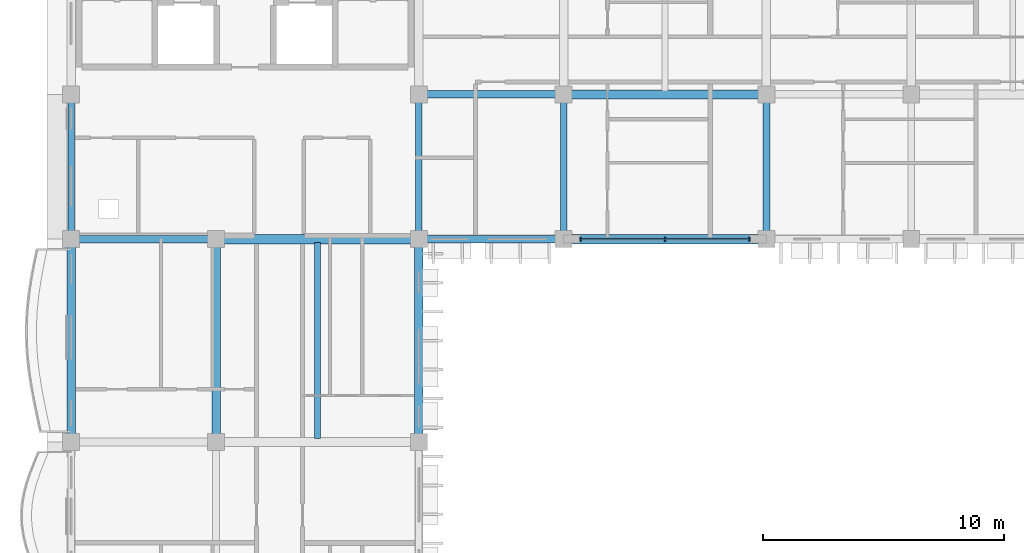
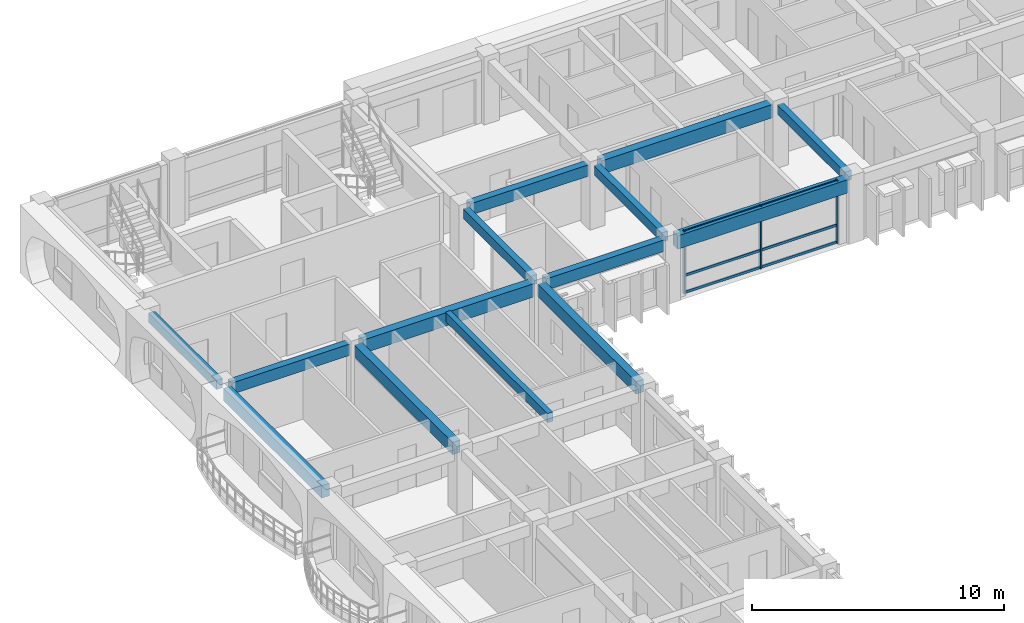
# One storey, part 8 of 76: 14 beams, 6 members, 1 element without a shape of its own.
"""IFC4 building model written with IfcOpenShell, lengths in metres."""

from ifc_helpers import new_model, si_unit, direction, frame, origin, origin_2d, place, context, subcontext, project, spatial, rectangle, extrude, material, material_profile, profile_set, type_object, element, aggregate, save


model = new_model("IFC4")

# Units and contexts
model_context = context("Model", 3, precision=1e-05, world=origin(), true_north=direction((0.0, 1.0)))
body_context = subcontext(model_context, "Body", "Model", "MODEL_VIEW")
ifc_project = project(units=[si_unit("LENGTHUNIT", "METRE"), si_unit("AREAUNIT", "SQUARE_METRE"), si_unit("VOLUMEUNIT", "CUBIC_METRE"), si_unit("PLANEANGLEUNIT", "RADIAN"), si_unit("MASSUNIT", "GRAM", prefix="KILO"), si_unit("THERMODYNAMICTEMPERATUREUNIT", "KELVIN")], contexts=[model_context])

# Site, building, storey
site_placement = place(None, origin())
site = spatial("IfcSite", under=ifc_project, at=site_placement, CompositionType="ELEMENT")
building_placement = place(site_placement, origin())
building = spatial("IfcBuilding", under=site, at=building_placement, Name="Thalorik Housing Commons", CompositionType="ELEMENT")
storey_placement = place(building_placement, frame((0.0, 0.0, 18.0)))
storey = spatial("IfcBuildingStorey", under=building, at=storey_placement, Name="L05", CompositionType="ELEMENT", Elevation=18.0)

# Curtain wall, members
ifc_material_1 = material(Name="Anodised aluminium and solar-control low-E glass", Category="aluminium")
curtain_wall_type = type_object("IfcCurtainWallType", Name="ARC-CW-LOUNGE", PredefinedType="USERDEFINED", material=ifc_material_1)
curtain_wall_placement = place(storey_placement, origin())
curtain_wall = element("IfcCurtainWall", 1, at=curtain_wall_placement, inside=storey, type_object=curtain_wall_type, Name="L05 Curtain Wall CW-RES-L05-A-020", ObjectType="CURTAIN WALL", PredefinedType="USERDEFINED")
ifc_material_2 = material(Name="Anodised aluminium 6063-T6", Category="aluminium")
ifc_material_profile_1 = material_profile(ifc_material_2, rectangle(XDim=0.06005859375, YDim=0.159912109375, at=origin_2d()), Name="ALU MUL 60x160", Category="aluminium")
ifc_profile_set_1 = profile_set([ifc_material_profile_1], Name="Anodised aluminium 6063-T6")
member_type_1 = type_object("IfcMemberType", Name="ARC-CW-MUL-60x160", PredefinedType="MULLION", material=ifc_profile_set_1)
member_1_placement = place(storey_placement, frame((29.5, 109.199951171875, 0.0), z_axis=(0.0, 0.0, 1.0), x_axis=(1.0, 0.0, 0.0)))
member_1 = element("IfcMember", 2, at=member_1_placement, type_object=member_type_1, Name="CW-RES-L05-A-020 Mullion 1", PredefinedType="MULLION", context=body_context, shape_type="SweptSolid", body=[
    extrude(rectangle(XDim=0.06005859375, YDim=0.159912109375, at=origin_2d()), origin(), (0.0, 0.0, 1.0), 3.0400390625),
])
member_2_placement = place(storey_placement, frame((33.0, 109.199951171875, 0.0), z_axis=(0.0, 0.0, 1.0), x_axis=(1.0, 0.0, 0.0)))
member_2 = element("IfcMember", 3, at=member_2_placement, type_object=member_type_1, Name="CW-RES-L05-A-020 Mullion 2", PredefinedType="MULLION", context=body_context, shape_type="SweptSolid", body=[
    extrude(rectangle(XDim=0.06005859375, YDim=0.159912109375, at=origin_2d()), origin(), (0.0, 0.0, 1.0), 3.0400390625),
])
member_3_placement = place(storey_placement, frame((36.5, 109.199951171875, 0.0), z_axis=(0.0, 0.0, 1.0), x_axis=(1.0, 0.0, 0.0)))
member_3 = element("IfcMember", 4, at=member_3_placement, type_object=member_type_1, Name="CW-RES-L05-A-020 Mullion 3", PredefinedType="MULLION", context=body_context, shape_type="SweptSolid", body=[
    extrude(rectangle(XDim=0.06005859375, YDim=0.159912109375, at=origin_2d()), origin(), (0.0, 0.0, 1.0), 3.0400390625),
])
ifc_material_profile_2 = material_profile(ifc_material_2, rectangle(XDim=0.06005859375, YDim=0.1201171875, at=origin_2d()), Name="ALU TRN 60x120", Category="aluminium")
ifc_profile_set_2 = profile_set([ifc_material_profile_2], Name="Anodised aluminium 6063-T6")
member_type_2 = type_object("IfcMemberType", Name="ARC-CW-TRN-60x120", PredefinedType="USERDEFINED", material=ifc_profile_set_2)
member_4_placement = place(storey_placement, frame((29.5, 109.199951171875, 0.054931640625), z_axis=(1.0, 0.0, 0.0), x_axis=(0.0, 1.0, 0.0)))
member_4 = element("IfcMember", 5, at=member_4_placement, type_object=member_type_2, Name="CW-RES-L05-A-020 Transom 1", ObjectType="TRANSOM", PredefinedType="USERDEFINED", context=body_context, shape_type="SweptSolid", body=[
    extrude(rectangle(XDim=0.06005859375, YDim=0.1201171875, at=origin_2d()), origin(), (0.0, 0.0, 1.0), 7.0),
])
member_5_placement = place(storey_placement, frame((29.5, 109.199951171875, 0.8798828125), z_axis=(1.0, 0.0, 0.0), x_axis=(0.0, 1.0, 0.0)))
member_5 = element("IfcMember", 6, at=member_5_placement, type_object=member_type_2, Name="CW-RES-L05-A-020 Transom 2", ObjectType="TRANSOM", PredefinedType="USERDEFINED", context=body_context, shape_type="SweptSolid", body=[
    extrude(rectangle(XDim=0.06005859375, YDim=0.1201171875, at=origin_2d()), origin(), (0.0, 0.0, 1.0), 7.0),
])
member_6_placement = place(storey_placement, frame((29.5, 109.199951171875, 2.985107421875), z_axis=(1.0, 0.0, 0.0), x_axis=(0.0, 1.0, 0.0)))
member_6 = element("IfcMember", 7, at=member_6_placement, type_object=member_type_2, Name="CW-RES-L05-A-020 Transom 3", ObjectType="TRANSOM", PredefinedType="USERDEFINED", context=body_context, shape_type="SweptSolid", body=[
    extrude(rectangle(XDim=0.06005859375, YDim=0.1201171875, at=origin_2d()), origin(), (0.0, 0.0, 1.0), 7.0),
])
aggregate(curtain_wall, [member_1, member_2, member_3, member_4, member_5, member_6])

# Beams
ifc_material_3 = material(Name="Precast concrete C40/50", Category="concrete")
ifc_material_profile_3 = material_profile(ifc_material_3, rectangle(XDim=0.280029296875, YDim=0.449951171875, at=origin_2d()), Name="PC 280x450", Category="concrete")
ifc_profile_set_3 = profile_set([ifc_material_profile_3], Name="Precast concrete C40/50")
beam_type_1 = type_object("IfcBeamType", Name="STR-BM-PC280x450", PredefinedType="BEAM", material=ifc_profile_set_3)
for number, where, z_axis, x_axis, name in (
    (8, (8.39990234375, 109.5, 2.81494140625), (0.0, 1.0, 0.0), (-1.0, 0.0, 0.0), "L05 Beam B-450"),
    (9, (22.800048828125, 109.5, 2.81494140625), (0.0, 1.0, 0.0), (-1.0, 0.0, 0.0), "L05 Beam B-450"),
    (10, (28.800048828125, 109.5, 2.81494140625), (0.0, 1.0, 0.0), (-1.0, 0.0, 0.0), "L05 Beam B-450"),
    (11, (37.199951171875, 109.5, 2.81494140625), (0.0, 1.0, 0.0), (-1.0, 0.0, 0.0), "L05 Beam B-450"),
):
    element("IfcBeam", number, at=place(storey_placement, frame(where, z_axis=z_axis, x_axis=x_axis)), inside=storey, type_object=beam_type_1, Name=name, PredefinedType="BEAM", context=body_context, shape_type="SweptSolid", body=[
        extrude(rectangle(XDim=0.280029296875, YDim=0.449951171875, at=origin_2d()), origin(), (0.0, 0.0, 1.0), 5.39990234375),
    ])
ifc_material_profile_4 = material_profile(ifc_material_3, rectangle(XDim=0.320068359375, YDim=0.550048828125, at=origin_2d()), Name="PC 320x550", Category="concrete")
ifc_profile_set_4 = profile_set([ifc_material_profile_4], Name="Precast concrete C40/50")
beam_type_2 = type_object("IfcBeamType", Name="STR-BM-PC320x550", PredefinedType="BEAM", material=ifc_profile_set_4)
beam_1_placement = place(storey_placement, frame((8.699951171875, 109.199951171875, 2.764892578125), z_axis=(1.0, 0.0, 0.0), x_axis=(0.0, 1.0, 0.0)))
element("IfcBeam", 12, at=beam_1_placement, inside=storey, type_object=beam_type_2, Name="L05 Beam B-550", PredefinedType="BEAM", context=body_context, shape_type="SweptSolid", body=[
    extrude(rectangle(XDim=0.320068359375, YDim=0.550048828125, at=origin_2d()), origin(), (0.0, 0.0, 1.0), 5.400146484375),
])
for number, where, z_axis, x_axis, name in (
    (13, (23.10009765625, 109.199951171875, 2.764892578125), (1.0, 0.0, 0.0), (0.0, 1.0, 0.0), "L05 Beam B-550"),
    (14, (23.10009765625, 115.199951171875, 2.764892578125), (1.0, 0.0, 0.0), (0.0, 1.0, 0.0), "L05 Beam B-550"),
):
    element("IfcBeam", number, at=place(storey_placement, frame(where, z_axis=z_axis, x_axis=x_axis)), inside=storey, type_object=beam_type_2, Name=name, PredefinedType="BEAM", context=body_context, shape_type="SweptSolid", body=[
        extrude(rectangle(XDim=0.320068359375, YDim=0.550048828125, at=origin_2d()), origin(), (0.0, 0.0, 1.0), 5.39990234375),
    ])
ifc_material_profile_5 = material_profile(ifc_material_3, rectangle(XDim=0.35009765625, YDim=0.60009765625, at=origin_2d()), Name="PC 350x600", Category="concrete")
ifc_profile_set_5 = profile_set([ifc_material_profile_5], Name="Precast concrete C40/50")
beam_type_3 = type_object("IfcBeamType", Name="STR-BM-PC350x600", PredefinedType="BEAM", material=ifc_profile_set_5)
for number, where, z_axis, x_axis, name in (
    (15, (8.39990234375, 101.10009765625, 2.739990234375), (0.0, 1.0, 0.0), (-1.0, 0.0, 0.0), "L05 Beam B-600"),
    (16, (14.39990234375, 101.10009765625, 2.739990234375), (0.0, 1.0, 0.0), (-1.0, 0.0, 0.0), "L05 Beam B-600"),
    (17, (22.800048828125, 101.10009765625, 2.739990234375), (0.0, 1.0, 0.0), (-1.0, 0.0, 0.0), "L05 Beam B-600"),
):
    element("IfcBeam", number, at=place(storey_placement, frame(where, z_axis=z_axis, x_axis=x_axis)), inside=storey, type_object=beam_type_3, Name=name, PredefinedType="BEAM", context=body_context, shape_type="SweptSolid", body=[
        extrude(rectangle(XDim=0.35009765625, YDim=0.60009765625, at=origin_2d()), origin(), (0.0, 0.0, 1.0), 7.7998046875),
    ])
ifc_material_profile_6 = material_profile(ifc_material_3, rectangle(XDim=0.3798828125, YDim=0.64990234375, at=origin_2d()), Name="PC 380x650", Category="concrete")
ifc_profile_set_6 = profile_set([ifc_material_profile_6], Name="Precast concrete C40/50")
beam_type_4 = type_object("IfcBeamType", Name="STR-BM-PC380x650", PredefinedType="BEAM", material=ifc_profile_set_6)
beam_2_placement = place(storey_placement, frame((14.699951171875, 109.199951171875, 2.715087890625), z_axis=(1.0, 0.0, 0.0), x_axis=(0.0, 1.0, 0.0)))
element("IfcBeam", 18, at=beam_2_placement, inside=storey, type_object=beam_type_4, Name="L05 Beam B-650", PredefinedType="BEAM", context=body_context, shape_type="SweptSolid", body=[
    extrude(rectangle(XDim=0.3798828125, YDim=0.64990234375, at=origin_2d()), origin(), (0.0, 0.0, 1.0), 7.800048828125),
])
for number, where, z_axis, x_axis, name in (
    (19, (29.10009765625, 109.199951171875, 2.715087890625), (1.0, 0.0, 0.0), (0.0, 1.0, 0.0), "L05 Beam B-650"),
    (20, (29.10009765625, 115.199951171875, 2.715087890625), (1.0, 0.0, 0.0), (0.0, 1.0, 0.0), "L05 Beam B-650"),
):
    element("IfcBeam", number, at=place(storey_placement, frame(where, z_axis=z_axis, x_axis=x_axis)), inside=storey, type_object=beam_type_4, Name=name, PredefinedType="BEAM", context=body_context, shape_type="SweptSolid", body=[
        extrude(rectangle(XDim=0.3798828125, YDim=0.64990234375, at=origin_2d()), origin(), (0.0, 0.0, 1.0), 7.7998046875),
    ])
ifc_material_profile_7 = material_profile(ifc_material_3, rectangle(XDim=0.239990234375, YDim=0.43994140625, at=origin_2d()), Name="PC JST 240x440", Category="concrete")
ifc_profile_set_7 = profile_set([ifc_material_profile_7], Name="Precast concrete C40/50")
beam_type_5 = type_object("IfcBeamType", Name="STR-JST-PC240x440", PredefinedType="JOIST", material=ifc_profile_set_7)
beam_3_placement = place(storey_placement, frame((18.60009765625, 100.93994140625, 2.820068359375), z_axis=(0.0, 1.0, 0.0), x_axis=(-1.0, 0.0, 0.0)))
element("IfcBeam", 21, at=beam_3_placement, inside=storey, type_object=beam_type_5, Name="L05 Beam J-440", PredefinedType="JOIST", context=body_context, shape_type="SweptSolid", body=[
    extrude(rectangle(XDim=0.239990234375, YDim=0.43994140625, at=origin_2d()), origin(), (0.0, 0.0, 1.0), 8.1201171875),
])

save(model, "model.ifc")
